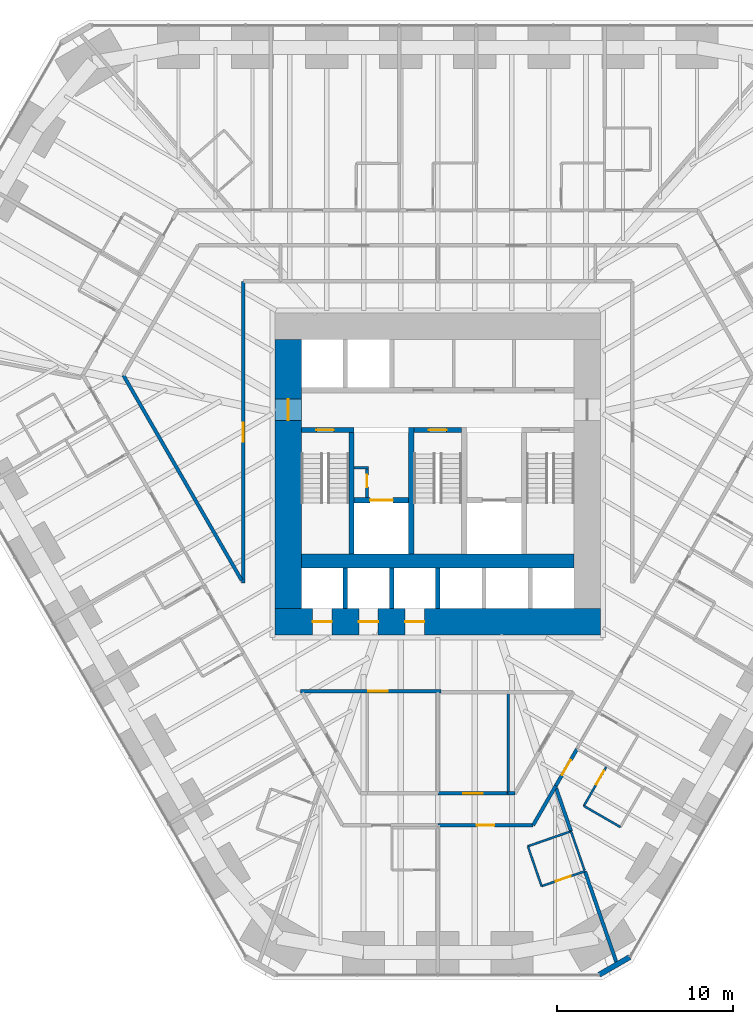
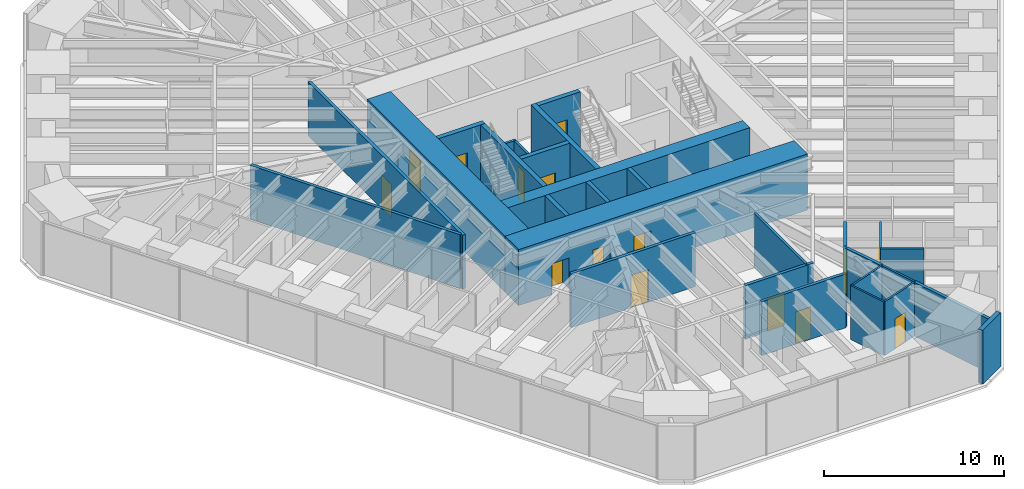
# One storey, part 12 of 17: 31 walls, 15 doors, 15 openings.
"""IFC4 building model written with IfcOpenShell, lengths in metres."""

from ifc_helpers import new_model, si_unit, direction, frame, frame_2d, origin, place, context, subcontext, project, spatial, rectangle, extrude, material, layer, layer_set, type_object, element, fill, save


model = new_model("IFC4")

# Units and contexts
model_context = context("Model", 3, precision=1e-05, world=origin(), true_north=direction((0.0, 1.0)))
body_context = subcontext(model_context, "Body", "Model", "MODEL_VIEW")
ifc_project = project(units=[si_unit("LENGTHUNIT", "METRE"), si_unit("AREAUNIT", "SQUARE_METRE"), si_unit("VOLUMEUNIT", "CUBIC_METRE"), si_unit("PLANEANGLEUNIT", "RADIAN"), si_unit("MASSUNIT", "GRAM", prefix="KILO")], contexts=[model_context])

# Site, building, storey
site_placement = place(None, origin())
site = spatial("IfcSite", under=ifc_project, at=site_placement, CompositionType="ELEMENT")
building_placement = place(site_placement, origin())
building = spatial("IfcBuilding", under=site, at=building_placement, Name="Sandreach Pilgrim Tower", CompositionType="ELEMENT")
storey_placement = place(building_placement, frame((0.0, 0.0, 30.60009765625)))
storey = spatial("IfcBuildingStorey", under=building, at=storey_placement, Name="L06", CompositionType="ELEMENT", Elevation=30.60009765625)

# Walls
ifc_material_1 = material(Name="Gypsum board on steel studs", Category="steel")
ifc_layer_1 = layer(ifc_material_1, 0.14990234375)
ifc_layer_set_1 = layer_set([ifc_layer_1], Name="Back of house wall 150")
wall_type_1 = type_object("IfcWallType", Name="Back of house wall 150", PredefinedType="PARTITIONING", material=ifc_layer_set_1)
wall_1_placement = place(storey_placement, frame((4.0, -13.949951171875, 0.0), z_axis=(0.0, 0.0, 1.0), x_axis=(0.0, -1.0, 0.0)))
element("IfcWall", 1, at=wall_1_placement, inside=storey, type_object=wall_type_1, Name="Back of house wall L06-094", PredefinedType="PARTITIONING", context=body_context, shape_type="SweptSolid", body=[
    extrude(rectangle(XDim=5.760009765625, YDim=0.14990234375, at=frame_2d((2.8798828125, 0.0))), origin(), (0.0, 0.0, 1.0), 3.639892578125),
])
ifc_material_2 = material(Name="Moisture-resistant gypsum board on steel studs", Category="steel")
ifc_layer_2 = layer(ifc_material_2, 0.1201171875)
ifc_layer_set_2 = layer_set([ifc_layer_2], Name="Bathroom partition 120")
wall_type_2 = type_object("IfcWallType", Name="Bathroom partition 120", PredefinedType="PARTITIONING", material=ifc_layer_set_2)
wall_2_placement = place(storey_placement, frame((5.1201171875, -22.7099609375, 0.0), z_axis=(0.0, 0.0, 1.0), x_axis=(0.324880771143, -0.945754981241, 0.0)))
element("IfcWall", 2, at=wall_2_placement, inside=storey, type_object=wall_type_2, Name="Bathroom partition L06-097", PredefinedType="PARTITIONING", context=body_context, shape_type="SweptSolid", body=[
    extrude(rectangle(XDim=2.400146484375, YDim=0.1201171875, at=frame_2d((1.2001953125, 0.0))), origin(), (0.0, 0.0, 1.0), 3.639892578125),
])

# Wall, opening, door
wall_3_placement = place(storey_placement, frame((5.89990234375, -24.97998046875, 0.0), z_axis=(0.0, 0.0, 1.0), x_axis=(0.945165466094, 0.326591857987, 0.0)))
wall_3 = element("IfcWall", 3, at=wall_3_placement, inside=storey, type_object=wall_type_2, Name="Bathroom partition L06-098", PredefinedType="PARTITIONING", context=body_context, shape_type="SweptSolid", body=[
    extrude(rectangle(XDim=2.60302734375, YDim=0.1201171875, at=frame_2d((1.301513671875, 0.0))), origin(), (0.0, 0.0, 1.0), 3.639892578125),
])
opening_1_placement = place(wall_3_placement, frame((0.85009765625, 0.0, 0.0)))
opening_1 = element("IfcOpeningElement", 4, at=opening_1_placement, cuts=wall_3, Name="Opening D09-13B", PredefinedType="OPENING", context=body_context, shape_type="SweptSolid", body=[
    extrude(rectangle(XDim=0.89990234375, YDim=2.030029296875, at=frame_2d((0.449951171875, 1.01513671875))), frame((0.0, 0.06005859375, 0.0), z_axis=(0.0, -1.0, 0.0), x_axis=(1.0, 0.0, 0.0)), (0.0, 0.0, 1.0), 0.1201171875),
])
ifc_material_3 = material(Name="Timber door, steel frame", Category="steel")
door_type_1 = type_object("IfcDoorType", Name="Bathroom door", OperationType="SINGLE_SWING_LEFT", PredefinedType="DOOR", material=ifc_material_3)
door_1_placement = place(opening_1_placement, origin())
door_1 = element("IfcDoor", 5, at=door_1_placement, inside=storey, type_object=door_type_1, Name="Door 0613B", OperationType="SINGLE_SWING_LEFT", OverallHeight=2.030029296875, OverallWidth=0.89990234375, PredefinedType="DOOR", context=body_context, shape_type="SweptSolid", body=[
    extrude(rectangle(XDim=0.89990234375, YDim=2.030029296875, at=frame_2d((0.449951171875, 1.01513671875))), frame((0.0, 0.02490234375, 0.0), z_axis=(0.0, -1.0, 0.0), x_axis=(1.0, 0.0, 0.0)), (0.0, 0.0, 1.0), 0.050048828125),
])
fill(opening_1, door_1)

# Walls
wall_4_placement = place(storey_placement, frame((7.570068359375, -21.860107421875, 0.0), z_axis=(0.0, 0.0, 1.0), x_axis=(-0.944782191137, -0.327698964463, 0.0)))
element("IfcWall", 6, at=wall_4_placement, inside=storey, type_object=wall_type_2, Name="Bathroom partition L06-104", PredefinedType="PARTITIONING", context=body_context, shape_type="SweptSolid", body=[
    extrude(rectangle(XDim=2.593505859375, YDim=0.1201171875, at=frame_2d((1.296875, 0.0))), origin(), (0.0, 0.0, 1.0), 3.639892578125),
])
wall_5_placement = place(storey_placement, frame((7.570068359375, -21.860107421875, 0.0), z_axis=(0.0, 0.0, 1.0), x_axis=(0.327706459026, -0.944779591605, 0.0)))
element("IfcWall", 7, at=wall_5_placement, inside=storey, type_object=wall_type_2, Name="Bathroom partition L06-105", PredefinedType="PARTITIONING", context=body_context, shape_type="SweptSolid", body=[
    extrude(rectangle(XDim=2.349609375, YDim=0.1201171875, at=frame_2d((1.1748046875, 0.0))), origin(), (0.0, 0.0, 1.0), 3.639892578125),
])
wall_6_placement = place(storey_placement, frame((8.300048828125, -20.419921875, 0.0), z_axis=(0.0, 0.0, 1.0), x_axis=(0.866177122335, -0.499737123639, 0.0)))
element("IfcWall", 8, at=wall_6_placement, inside=storey, type_object=wall_type_2, Name="Bathroom partition L06-109", PredefinedType="PARTITIONING", context=body_context, shape_type="SweptSolid", body=[
    extrude(rectangle(XDim=2.401123046875, YDim=0.1201171875, at=frame_2d((1.20068359375, 0.0))), origin(), (0.0, 0.0, 1.0), 3.639892578125),
])

# Wall, opening, door
wall_7_placement = place(storey_placement, frame((9.60009765625, -18.159912109375, 0.0), z_axis=(0.0, 0.0, 1.0), x_axis=(-0.498627694264, -0.866816256489, 0.0)))
wall_7 = element("IfcWall", 9, at=wall_7_placement, inside=storey, type_object=wall_type_2, Name="Bathroom partition L06-122", PredefinedType="PARTITIONING", context=body_context, shape_type="SweptSolid", body=[
    extrude(rectangle(XDim=2.607177734375, YDim=0.1201171875, at=frame_2d((1.3037109375, 0.0))), origin(), (0.0, 0.0, 1.0), 3.639892578125),
])
opening_2_placement = place(wall_7_placement, frame((0.300048828125, 0.0, 0.0)))
opening_2 = element("IfcOpeningElement", 10, at=opening_2_placement, cuts=wall_7, Name="Opening D09-12B", PredefinedType="OPENING", context=body_context, shape_type="SweptSolid", body=[
    extrude(rectangle(XDim=0.89990234375, YDim=2.030029296875, at=frame_2d((0.449951171875, 1.01513671875))), frame((0.0, 0.06005859375, 0.0), z_axis=(0.0, -1.0, 0.0), x_axis=(1.0, 0.0, 0.0)), (0.0, 0.0, 1.0), 0.1201171875),
])
door_2_placement = place(opening_2_placement, origin())
door_2 = element("IfcDoor", 11, at=door_2_placement, inside=storey, type_object=door_type_1, Name="Door 0612B", OperationType="SINGLE_SWING_LEFT", OverallHeight=2.030029296875, OverallWidth=0.89990234375, PredefinedType="DOOR", context=body_context, shape_type="SweptSolid", body=[
    extrude(rectangle(XDim=0.89990234375, YDim=2.030029296875, at=frame_2d((0.449951171875, 1.01513671875))), frame((0.0, 0.02490234375, 0.0), z_axis=(0.0, -1.0, 0.0), x_axis=(1.0, 0.0, 0.0)), (0.0, 0.0, 1.0), 0.050048828125),
])
fill(opening_2, door_2)

# Walls
ifc_material_4 = material(Name="Concrete 10000 psi", Category="concrete")
ifc_layer_3 = layer(ifc_material_4, 0.300048828125)
ifc_layer_set_3 = layer_set([ifc_layer_3], Name="Core inner wall 300")
wall_type_3 = type_object("IfcWallType", Name="Core inner wall 300", PredefinedType="SHEAR", material=ifc_layer_set_3)
for number, where, z_axis, x_axis, name in (
    (12, (-4.89990234375, -6.10009765625, 0.0), (0.0, 0.0, 1.0), (0.0, 1.0, 0.0), "Core wall I0 L06"),
    (13, (-1.5, -6.10009765625, 0.0), (0.0, 0.0, 1.0), (0.0, 1.0, 0.0), "Core wall I1 L06"),
):
    element("IfcWall", number, at=place(storey_placement, frame(where, z_axis=z_axis, x_axis=x_axis)), inside=storey, type_object=wall_type_3, Name=name, PredefinedType="SHEAR", context=body_context, shape_type="SweptSolid", body=[
        extrude(rectangle(XDim=7.2001953125, YDim=0.300048828125, at=frame_2d((3.60009765625, 0.0))), origin(), (0.0, 0.0, 1.0), 3.7998046875),
    ])

# Wall, opening, door
wall_8_placement = place(storey_placement, frame((-7.75, 0.949951171875, 0.0), z_axis=(0.0, 0.0, 1.0), x_axis=(1.0, 0.0, 0.0)))
wall_8 = element("IfcWall", 14, at=wall_8_placement, inside=storey, type_object=wall_type_3, Name="Core wall SN1 L06", PredefinedType="SHEAR", context=body_context, shape_type="SweptSolid", body=[
    extrude(rectangle(XDim=3.0, YDim=0.300048828125, at=frame_2d((1.5, 0.0))), origin(), (0.0, 0.0, 1.0), 3.7998046875),
])
opening_3_placement = place(wall_8_placement, frame((0.85009765625, 0.0, 0.0)))
opening_3 = element("IfcOpeningElement", 15, at=opening_3_placement, cuts=wall_8, Name="Opening D10S-ST1", PredefinedType="OPENING", context=body_context, shape_type="SweptSolid", body=[
    extrude(rectangle(XDim=1.0, YDim=2.199951171875, at=frame_2d((0.5, 1.10009765625))), frame((0.0, 0.14990234375, 0.0), z_axis=(0.0, -1.0, 0.0), x_axis=(1.0, 0.0, 0.0)), (0.0, 0.0, 1.0), 0.300048828125),
])
ifc_material_5 = material(Name="Steel door and frame", Category="steel")
door_type_2 = type_object("IfcDoorType", Name="Stair door", OperationType="SINGLE_SWING_LEFT", PredefinedType="DOOR", material=ifc_material_5)
door_3_placement = place(opening_3_placement, origin())
door_3 = element("IfcDoor", 16, at=door_3_placement, inside=storey, type_object=door_type_2, Name="Stair door ST1 L06", OperationType="SINGLE_SWING_LEFT", OverallHeight=2.199951171875, OverallWidth=1.0, PredefinedType="DOOR", context=body_context, shape_type="SweptSolid", body=[
    extrude(rectangle(XDim=1.0, YDim=2.199951171875, at=frame_2d((0.5, 1.10009765625))), frame((0.0, 0.02490234375, 0.0), z_axis=(0.0, -1.0, 0.0), x_axis=(1.0, 0.0, 0.0)), (0.0, 0.0, 1.0), 0.050048828125),
])
fill(opening_3, door_3)

wall_9_placement = place(storey_placement, frame((-1.35009765625, 0.949951171875, 0.0), z_axis=(0.0, 0.0, 1.0), x_axis=(1.0, 0.0, 0.0)))
wall_9 = element("IfcWall", 17, at=wall_9_placement, inside=storey, type_object=wall_type_3, Name="Core wall SN3 L06", PredefinedType="SHEAR", context=body_context, shape_type="SweptSolid", body=[
    extrude(rectangle(XDim=2.7001953125, YDim=0.300048828125, at=frame_2d((1.35009765625, 0.0))), origin(), (0.0, 0.0, 1.0), 3.7998046875),
])
opening_4_placement = place(wall_9_placement, frame((0.85009765625, 0.0, 0.0)))
opening_4 = element("IfcOpeningElement", 18, at=opening_4_placement, cuts=wall_9, Name="Opening D10S-ST3", PredefinedType="OPENING", context=body_context, shape_type="SweptSolid", body=[
    extrude(rectangle(XDim=1.0, YDim=2.199951171875, at=frame_2d((0.5, 1.10009765625))), frame((0.0, 0.14990234375, 0.0), z_axis=(0.0, -1.0, 0.0), x_axis=(1.0, 0.0, 0.0)), (0.0, 0.0, 1.0), 0.300048828125),
])
door_4_placement = place(opening_4_placement, origin())
door_4 = element("IfcDoor", 19, at=door_4_placement, inside=storey, type_object=door_type_2, Name="Stair door ST3 L06", OperationType="SINGLE_SWING_LEFT", OverallHeight=2.199951171875, OverallWidth=1.0, PredefinedType="DOOR", context=body_context, shape_type="SweptSolid", body=[
    extrude(rectangle(XDim=1.0, YDim=2.199951171875, at=frame_2d((0.5, 1.10009765625))), frame((0.0, 0.02490234375, 0.0), z_axis=(0.0, -1.0, 0.0), x_axis=(1.0, 0.0, 0.0)), (0.0, 0.0, 1.0), 0.050048828125),
])
fill(opening_4, door_4)

wall_10_placement = place(storey_placement, frame((-4.75, -3.050048828125, 0.0), z_axis=(0.0, 0.0, 1.0), x_axis=(1.0, 0.0, 0.0)))
wall_10 = element("IfcWall", 20, at=wall_10_placement, inside=storey, type_object=wall_type_3, Name="Core wall FL1 L06", PredefinedType="SHEAR", context=body_context, shape_type="SweptSolid", body=[
    extrude(rectangle(XDim=3.10009765625, YDim=0.300048828125, at=frame_2d((1.550048828125, 0.0))), origin(), (0.0, 0.0, 1.0), 3.7998046875),
])
opening_5_placement = place(wall_10_placement, frame((0.89990234375, 0.0, 0.0)))
opening_5 = element("IfcOpeningElement", 21, at=opening_5_placement, cuts=wall_10, Name="Opening LD13", PredefinedType="OPENING", context=body_context, shape_type="SweptSolid", body=[
    extrude(rectangle(XDim=1.300048828125, YDim=2.10009765625, at=frame_2d((0.64990234375, 1.050048828125))), frame((0.0, 0.14990234375, 0.0), z_axis=(0.0, -1.0, 0.0), x_axis=(1.0, 0.0, 0.0)), (0.0, 0.0, 1.0), 0.300048828125),
])
ifc_material_6 = material(Name="Steel door and frame", Category="steel")
door_type_3 = type_object("IfcDoorType", Name="Fire service lift landing door", OperationType="DOUBLE_DOOR_SLIDING", PredefinedType="DOOR", material=ifc_material_6)
door_5_placement = place(opening_5_placement, origin())
door_5 = element("IfcDoor", 22, at=door_5_placement, inside=storey, type_object=door_type_3, Name="Lift landing door FS1 L06", OperationType="DOUBLE_DOOR_SLIDING", OverallHeight=2.10009765625, OverallWidth=1.300048828125, PredefinedType="DOOR", context=body_context, shape_type="SweptSolid", body=[
    extrude(rectangle(XDim=1.300048828125, YDim=2.10009765625, at=frame_2d((0.64990234375, 1.050048828125))), frame((0.0, 0.02490234375, 0.0), z_axis=(0.0, -1.0, 0.0), x_axis=(1.0, 0.0, 0.0)), (0.0, 0.0, 1.0), 0.050048828125),
])
fill(opening_5, door_5)

# Wall
ifc_material_7 = material(Name="Concrete 10000 psi", Category="concrete")
ifc_layer_4 = layer(ifc_material_7, 0.800048828125)
ifc_layer_set_4 = layer_set([ifc_layer_4], Name="Core mid wall 800")
wall_type_4 = type_object("IfcWallType", Name="Core mid wall 800", PredefinedType="SHEAR", material=ifc_layer_set_4)
wall_11_placement = place(storey_placement, frame((-7.75, -6.5, 0.0), z_axis=(0.0, 0.0, 1.0), x_axis=(1.0, 0.0, 0.0)))
element("IfcWall", 23, at=wall_11_placement, inside=storey, type_object=wall_type_4, Name="Core wall M L06", PredefinedType="SHEAR", context=body_context, shape_type="SweptSolid", body=[
    extrude(rectangle(XDim=15.5, YDim=0.800048828125, at=frame_2d((7.75, 0.0))), origin(), (0.0, 0.0, 1.0), 3.7998046875),
])

# Wall, openings, doors
ifc_material_8 = material(Name="Concrete 10000 psi", Category="concrete")
ifc_layer_5 = layer(ifc_material_8, 1.5)
ifc_layer_set_5 = layer_set([ifc_layer_5], Name="Core wall 1500")
wall_type_5 = type_object("IfcWallType", Name="Core wall 1500", PredefinedType="SHEAR", material=ifc_layer_set_5)
wall_12_placement = place(storey_placement, frame((-9.25, -9.949951171875, 0.0), z_axis=(0.0, 0.0, 1.0), x_axis=(1.0, 0.0, 0.0)))
wall_12 = element("IfcWall", 24, at=wall_12_placement, inside=storey, type_object=wall_type_5, Name="Core wall S L06", PredefinedType="SHEAR", context=body_context, shape_type="SweptSolid", body=[
    extrude(rectangle(XDim=18.5, YDim=1.5, at=frame_2d((9.25, 0.0))), origin(), (0.0, 0.0, 1.0), 3.7998046875),
])
opening_6_placement = place(wall_12_placement, frame((2.137451171875, 0.0, 0.0)))
opening_6 = element("IfcOpeningElement", 25, at=opening_6_placement, cuts=wall_12, Name="Opening LD11", PredefinedType="OPENING", context=body_context, shape_type="SweptSolid", body=[
    extrude(rectangle(XDim=1.10009765625, YDim=2.10009765625, at=frame_2d((0.550048828125, 1.050048828125))), frame((0.0, 0.75, 0.0), z_axis=(0.0, -1.0, 0.0), x_axis=(1.0, 0.0, 0.0)), (0.0, 0.0, 1.0), 1.5),
])
opening_7_placement = place(wall_12_placement, frame((4.762451171875, 0.0, 0.0)))
opening_7 = element("IfcOpeningElement", 26, at=opening_7_placement, cuts=wall_12, Name="Opening LD11", PredefinedType="OPENING", context=body_context, shape_type="SweptSolid", body=[
    extrude(rectangle(XDim=1.10009765625, YDim=2.10009765625, at=frame_2d((0.550048828125, 1.050048828125))), frame((0.0, 0.75, 0.0), z_axis=(0.0, -1.0, 0.0), x_axis=(1.0, 0.0, 0.0)), (0.0, 0.0, 1.0), 1.5),
])
opening_8_placement = place(wall_12_placement, frame((7.387451171875, 0.0, 0.0)))
opening_8 = element("IfcOpeningElement", 27, at=opening_8_placement, cuts=wall_12, Name="Opening LD11", PredefinedType="OPENING", context=body_context, shape_type="SweptSolid", body=[
    extrude(rectangle(XDim=1.10009765625, YDim=2.10009765625, at=frame_2d((0.550048828125, 1.050048828125))), frame((0.0, 0.75, 0.0), z_axis=(0.0, -1.0, 0.0), x_axis=(1.0, 0.0, 0.0)), (0.0, 0.0, 1.0), 1.5),
])
ifc_material_9 = material(Name="Steel door and frame", Category="steel")
door_type_4 = type_object("IfcDoorType", Name="Lift landing door", OperationType="DOUBLE_DOOR_SLIDING", PredefinedType="DOOR", material=ifc_material_9)
door_6_placement = place(opening_6_placement, origin())
door_6 = element("IfcDoor", 28, at=door_6_placement, inside=storey, type_object=door_type_4, Name="Lift landing door Z1A L06", OperationType="DOUBLE_DOOR_SLIDING", OverallHeight=2.10009765625, OverallWidth=1.10009765625, PredefinedType="DOOR", context=body_context, shape_type="SweptSolid", body=[
    extrude(rectangle(XDim=1.10009765625, YDim=2.10009765625, at=frame_2d((0.550048828125, 1.050048828125))), frame((0.0, 0.02490234375, 0.0), z_axis=(0.0, -1.0, 0.0), x_axis=(1.0, 0.0, 0.0)), (0.0, 0.0, 1.0), 0.050048828125),
])
fill(opening_6, door_6)
door_7_placement = place(opening_7_placement, origin())
door_7 = element("IfcDoor", 29, at=door_7_placement, inside=storey, type_object=door_type_4, Name="Lift landing door Z1B L06", OperationType="DOUBLE_DOOR_SLIDING", OverallHeight=2.10009765625, OverallWidth=1.10009765625, PredefinedType="DOOR", context=body_context, shape_type="SweptSolid", body=[
    extrude(rectangle(XDim=1.10009765625, YDim=2.10009765625, at=frame_2d((0.550048828125, 1.050048828125))), frame((0.0, 0.02490234375, 0.0), z_axis=(0.0, -1.0, 0.0), x_axis=(1.0, 0.0, 0.0)), (0.0, 0.0, 1.0), 0.050048828125),
])
fill(opening_7, door_7)
door_8_placement = place(opening_8_placement, origin())
door_8 = element("IfcDoor", 30, at=door_8_placement, inside=storey, type_object=door_type_4, Name="Lift landing door Z1C L06", OperationType="DOUBLE_DOOR_SLIDING", OverallHeight=2.10009765625, OverallWidth=1.10009765625, PredefinedType="DOOR", context=body_context, shape_type="SweptSolid", body=[
    extrude(rectangle(XDim=1.10009765625, YDim=2.10009765625, at=frame_2d((0.550048828125, 1.050048828125))), frame((0.0, 0.02490234375, 0.0), z_axis=(0.0, -1.0, 0.0), x_axis=(1.0, 0.0, 0.0)), (0.0, 0.0, 1.0), 0.050048828125),
])
fill(opening_8, door_8)

# Wall, opening, door
wall_13_placement = place(storey_placement, frame((-8.5, -9.199951171875, 0.0), z_axis=(0.0, 0.0, 1.0), x_axis=(0.0, 1.0, 0.0)))
wall_13 = element("IfcWall", 31, at=wall_13_placement, inside=storey, type_object=wall_type_5, Name="Core wall W L06", PredefinedType="SHEAR", context=body_context, shape_type="SweptSolid", body=[
    extrude(rectangle(XDim=15.300048828125, YDim=1.5, at=frame_2d((7.64990234375, 0.0))), origin(), (0.0, 0.0, 1.0), 3.7998046875),
])
opening_9_placement = place(wall_13_placement, frame((10.699951171875, 0.0, 0.0)))
opening_9 = element("IfcOpeningElement", 32, at=opening_9_placement, cuts=wall_13, Name="Opening D12F-W", PredefinedType="OPENING", context=body_context, shape_type="SweptSolid", body=[
    extrude(rectangle(XDim=1.199951171875, YDim=2.199951171875, at=frame_2d((0.60009765625, 1.10009765625))), frame((0.0, 0.75, 0.0), z_axis=(0.0, -1.0, 0.0), x_axis=(1.0, 0.0, 0.0)), (0.0, 0.0, 1.0), 1.5),
])
ifc_material_10 = material(Name="Steel door and frame", Category="steel")
door_type_5 = type_object("IfcDoorType", Name="Fire lobby door", OperationType="SINGLE_SWING_LEFT", PredefinedType="DOOR", material=ifc_material_10)
door_9_placement = place(opening_9_placement, origin())
door_9 = element("IfcDoor", 33, at=door_9_placement, inside=storey, type_object=door_type_5, Name="Fire service lobby door W L06", OperationType="SINGLE_SWING_RIGHT", OverallHeight=2.199951171875, OverallWidth=1.199951171875, PredefinedType="DOOR", context=body_context, shape_type="SweptSolid", body=[
    extrude(rectangle(XDim=1.199951171875, YDim=2.199951171875, at=frame_2d((0.60009765625, 1.10009765625))), frame((0.0, 0.02490234375, 0.0), z_axis=(0.0, -1.0, 0.0), x_axis=(1.0, 0.0, 0.0)), (0.0, 0.0, 1.0), 0.050048828125),
])
fill(opening_9, door_9)

# Wall
ifc_material_11 = material(Name="Gypsum board on steel studs, two layers each side", Category="steel")
ifc_layer_6 = layer(ifc_material_11, 0.199951171875)
ifc_layer_set_6 = layer_set([ifc_layer_6], Name="Corridor wall 200")
wall_type_6 = type_object("IfcWallType", Name="Corridor wall 200", PredefinedType="PARTITIONING", material=ifc_layer_set_6)
wall_14_placement = place(storey_placement, frame((-11.1474609375, -7.591064453125, 0.0), z_axis=(0.0, 0.0, 1.0), x_axis=(-0.499756496688, 0.86616594485, 0.0)))
element("IfcWall", 34, at=wall_14_placement, inside=storey, type_object=wall_type_6, Name="Corridor wall L06-046", PredefinedType="PARTITIONING", context=body_context, shape_type="SweptSolid", body=[
    extrude(rectangle(XDim=13.451416015625, YDim=0.199951171875, at=frame_2d((6.7255859375, 0.0))), origin(), (0.0, 0.0, 1.0), 3.639892578125),
])

# Wall, opening, door
wall_15_placement = place(storey_placement, frame((-11.050048828125, 9.39990234375, 0.0), z_axis=(0.0, 0.0, 1.0), x_axis=(0.0, -1.0, 0.0)))
wall_15 = element("IfcWall", 35, at=wall_15_placement, inside=storey, type_object=wall_type_6, Name="Corridor wall L06-048", PredefinedType="PARTITIONING", context=body_context, shape_type="SweptSolid", body=[
    extrude(rectangle(XDim=17.159912109375, YDim=0.199951171875, at=frame_2d((8.580078125, 0.0))), origin(), (0.0, 0.0, 1.0), 3.639892578125),
])
opening_10_placement = place(wall_15_placement, frame((8.030029296875, 0.0, 0.0)))
opening_10 = element("IfcOpeningElement", 36, at=opening_10_placement, cuts=wall_15, Name="Opening D11H-M01", PredefinedType="OPENING", context=body_context, shape_type="SweptSolid", body=[
    extrude(rectangle(XDim=1.10009765625, YDim=2.199951171875, at=frame_2d((0.550048828125, 1.10009765625))), frame((0.0, 0.10009765625, 0.0), z_axis=(0.0, -1.0, 0.0), x_axis=(1.0, 0.0, 0.0)), (0.0, 0.0, 1.0), 0.199951171875),
])
ifc_material_12 = material(Name="Steel door and frame", Category="steel")
door_type_6 = type_object("IfcDoorType", Name="Back of house door", OperationType="SINGLE_SWING_LEFT", PredefinedType="DOOR", material=ifc_material_12)
door_10_placement = place(opening_10_placement, origin())
door_10 = element("IfcDoor", 37, at=door_10_placement, inside=storey, type_object=door_type_6, Name="Door 06M01", OperationType="SINGLE_SWING_LEFT", OverallHeight=2.199951171875, OverallWidth=1.10009765625, PredefinedType="DOOR", context=body_context, shape_type="SweptSolid", body=[
    extrude(rectangle(XDim=1.10009765625, YDim=2.199951171875, at=frame_2d((0.550048828125, 1.10009765625))), frame((0.0, 0.02490234375, 0.0), z_axis=(0.0, -1.0, 0.0), x_axis=(1.0, 0.0, 0.0)), (0.0, 0.0, 1.0), 0.050048828125),
])
fill(opening_10, door_10)

wall_16_placement = place(storey_placement, frame((0.0, -21.510009765625, 0.0), z_axis=(0.0, 0.0, 1.0), x_axis=(1.0, 0.0, 0.0)))
wall_16 = element("IfcWall", 38, at=wall_16_placement, inside=storey, type_object=wall_type_6, Name="Corridor wall L06-081", PredefinedType="PARTITIONING", context=body_context, shape_type="SweptSolid", body=[
    extrude(rectangle(XDim=5.419921875, YDim=0.199951171875, at=frame_2d((2.7099609375, 0.0))), origin(), (0.0, 0.0, 1.0), 3.639892578125),
])
opening_11_placement = place(wall_16_placement, frame((2.2099609375, 0.0, 0.0)))
opening_11 = element("IfcOpeningElement", 39, at=opening_11_placement, cuts=wall_16, Name="Opening D10-13", PredefinedType="OPENING", context=body_context, shape_type="SweptSolid", body=[
    extrude(rectangle(XDim=1.0, YDim=2.1298828125, at=frame_2d((0.5, 1.06494140625))), frame((0.0, 0.10009765625, 0.0), z_axis=(0.0, -1.0, 0.0), x_axis=(1.0, 0.0, 0.0)), (0.0, 0.0, 1.0), 0.199951171875),
])
ifc_material_13 = material(Name="Steel door and frame", Category="steel")
door_type_7 = type_object("IfcDoorType", Name="Guest room entry door", OperationType="SINGLE_SWING_LEFT", PredefinedType="DOOR", material=ifc_material_13)
door_11_placement = place(opening_11_placement, origin())
door_11 = element("IfcDoor", 40, at=door_11_placement, inside=storey, type_object=door_type_7, Name="Door 0613", OperationType="SINGLE_SWING_LEFT", OverallHeight=2.1298828125, OverallWidth=1.0, PredefinedType="DOOR", context=body_context, shape_type="SweptSolid", body=[
    extrude(rectangle(XDim=1.0, YDim=2.1298828125, at=frame_2d((0.5, 1.06494140625))), frame((0.0, 0.02490234375, 0.0), z_axis=(0.0, -1.0, 0.0), x_axis=(1.0, 0.0, 0.0)), (0.0, 0.0, 1.0), 0.050048828125),
])
fill(opening_11, door_11)

wall_17_placement = place(storey_placement, frame((0.179931640625, -13.89990234375, 0.0), z_axis=(0.0, 0.0, 1.0), x_axis=(-1.0, 0.0, 0.0)))
wall_17 = element("IfcWall", 41, at=wall_17_placement, inside=storey, type_object=wall_type_6, Name="Corridor wall L06-088", PredefinedType="PARTITIONING", context=body_context, shape_type="SweptSolid", body=[
    extrude(rectangle(XDim=7.969970703125, YDim=0.199951171875, at=frame_2d((3.98486328125, 0.0))), origin(), (0.0, 0.0, 1.0), 3.639892578125),
])
opening_12_placement = place(wall_17_placement, frame((3.034912109375, 0.0, 0.0)))
opening_12 = element("IfcOpeningElement", 42, at=opening_12_placement, cuts=wall_17, Name="Opening D11H-S2", PredefinedType="OPENING", context=body_context, shape_type="SweptSolid", body=[
    extrude(rectangle(XDim=1.10009765625, YDim=2.199951171875, at=frame_2d((0.550048828125, 1.10009765625))), frame((0.0, 0.10009765625, 0.0), z_axis=(0.0, -1.0, 0.0), x_axis=(1.0, 0.0, 0.0)), (0.0, 0.0, 1.0), 0.199951171875),
])
door_12_placement = place(opening_12_placement, origin())
door_12 = element("IfcDoor", 43, at=door_12_placement, inside=storey, type_object=door_type_6, Name="Door 06S2", OperationType="SINGLE_SWING_LEFT", OverallHeight=2.199951171875, OverallWidth=1.10009765625, PredefinedType="DOOR", context=body_context, shape_type="SweptSolid", body=[
    extrude(rectangle(XDim=1.10009765625, YDim=2.199951171875, at=frame_2d((0.550048828125, 1.10009765625))), frame((0.0, 0.02490234375, 0.0), z_axis=(0.0, -1.0, 0.0), x_axis=(1.0, 0.0, 0.0)), (0.0, 0.0, 1.0), 0.050048828125),
])
fill(opening_12, door_12)

wall_18_placement = place(storey_placement, frame((4.0, -19.7099609375, 0.0), z_axis=(0.0, 0.0, 1.0), x_axis=(-1.0, 0.0, 0.0)))
wall_18 = element("IfcWall", 44, at=wall_18_placement, inside=storey, type_object=wall_type_6, Name="Corridor wall L06-093", PredefinedType="PARTITIONING", context=body_context, shape_type="SweptSolid", body=[
    extrude(rectangle(XDim=4.0, YDim=0.199951171875, at=frame_2d((2.0, 0.0))), origin(), (0.0, 0.0, 1.0), 3.639892578125),
])
opening_13_placement = place(wall_18_placement, frame((1.449951171875, 0.0, 0.0)))
opening_13 = element("IfcOpeningElement", 45, at=opening_13_placement, cuts=wall_18, Name="Opening D11H-S3", PredefinedType="OPENING", context=body_context, shape_type="SweptSolid", body=[
    extrude(rectangle(XDim=1.10009765625, YDim=2.199951171875, at=frame_2d((0.550048828125, 1.10009765625))), frame((0.0, 0.10009765625, 0.0), z_axis=(0.0, -1.0, 0.0), x_axis=(1.0, 0.0, 0.0)), (0.0, 0.0, 1.0), 0.199951171875),
])
door_13_placement = place(opening_13_placement, origin())
door_13 = element("IfcDoor", 46, at=door_13_placement, inside=storey, type_object=door_type_6, Name="Door 06S3", OperationType="SINGLE_SWING_LEFT", OverallHeight=2.199951171875, OverallWidth=1.10009765625, PredefinedType="DOOR", context=body_context, shape_type="SweptSolid", body=[
    extrude(rectangle(XDim=1.10009765625, YDim=2.199951171875, at=frame_2d((0.550048828125, 1.10009765625))), frame((0.0, 0.02490234375, 0.0), z_axis=(0.0, -1.0, 0.0), x_axis=(1.0, 0.0, 0.0)), (0.0, 0.0, 1.0), 0.050048828125),
])
fill(opening_13, door_13)

# Walls
wall_19_placement = place(storey_placement, frame((4.3798828125, -19.7099609375, 0.0), z_axis=(0.0, 0.0, 1.0), x_axis=(-1.0, 0.0, 0.0)))
element("IfcWall", 47, at=wall_19_placement, inside=storey, type_object=wall_type_6, Name="Corridor wall L06-096", PredefinedType="PARTITIONING", context=body_context, shape_type="SweptSolid", body=[
    extrude(rectangle(XDim=0.3798828125, YDim=0.199951171875, at=frame_2d((0.18994140625, 0.0))), origin(), (0.0, 0.0, 1.0), 3.639892578125),
])
wall_20_placement = place(storey_placement, frame((6.7099609375, -19.27001953125, 0.0), z_axis=(0.0, 0.0, 1.0), x_axis=(-0.499065468721, -0.866564283784, 0.0)))
element("IfcWall", 48, at=wall_20_placement, inside=storey, type_object=wall_type_6, Name="Corridor wall L06-099", PredefinedType="PARTITIONING", context=body_context, shape_type="SweptSolid", body=[
    extrude(rectangle(XDim=2.5849609375, YDim=0.199951171875, at=frame_2d((1.29248046875, 0.0))), origin(), (0.0, 0.0, 1.0), 3.639892578125),
])

# Wall, opening, door
wall_21_placement = place(storey_placement, frame((6.7099609375, -19.27001953125, 0.0), z_axis=(0.0, 0.0, 1.0), x_axis=(0.499693115345, 0.866202511239, 0.0)))
wall_21 = element("IfcWall", 49, at=wall_21_placement, inside=storey, type_object=wall_type_6, Name="Corridor wall L06-100", PredefinedType="PARTITIONING", context=body_context, shape_type="SweptSolid", body=[
    extrude(rectangle(XDim=2.4013671875, YDim=0.199951171875, at=frame_2d((1.20068359375, 0.0))), origin(), (0.0, 0.0, 1.0), 3.639892578125),
])
opening_14_placement = place(wall_21_placement, frame((0.70068359375, 0.0, 0.0)))
opening_14 = element("IfcOpeningElement", 50, at=opening_14_placement, cuts=wall_21, Name="Opening D10-12", PredefinedType="OPENING", context=body_context, shape_type="SweptSolid", body=[
    extrude(rectangle(XDim=1.0, YDim=2.1298828125, at=frame_2d((0.5, 1.06494140625))), frame((0.0, 0.10009765625, 0.0), z_axis=(0.0, -1.0, 0.0), x_axis=(1.0, 0.0, 0.0)), (0.0, 0.0, 1.0), 0.199951171875),
])
door_14_placement = place(opening_14_placement, origin())
door_14 = element("IfcDoor", 51, at=door_14_placement, inside=storey, type_object=door_type_7, Name="Door 0612", OperationType="SINGLE_SWING_LEFT", OverallHeight=2.1298828125, OverallWidth=1.0, PredefinedType="DOOR", context=body_context, shape_type="SweptSolid", body=[
    extrude(rectangle(XDim=1.0, YDim=2.1298828125, at=frame_2d((0.5, 1.06494140625))), frame((0.0, 0.02490234375, 0.0), z_axis=(0.0, -1.0, 0.0), x_axis=(1.0, 0.0, 0.0)), (0.0, 0.0, 1.0), 0.050048828125),
])
fill(opening_14, door_14)

# Walls
ifc_material_14 = material(Name="Double steel stud acoustic wall, gypsum board", Category="steel")
ifc_layer_7 = layer(ifc_material_14, 0.199951171875)
ifc_layer_set_7 = layer_set([ifc_layer_7], Name="Party wall 200")
wall_type_7 = type_object("IfcWallType", Name="Party wall 200", PredefinedType="PARTITIONING", material=ifc_layer_set_7)
wall_22_placement = place(storey_placement, frame((6.725830078125, -19.4140625, 0.0), z_axis=(0.0, 0.0, 1.0), x_axis=(0.326258175708, -0.945280700524, 0.0)))
element("IfcWall", 52, at=wall_22_placement, inside=storey, type_object=wall_type_7, Name="Party wall L06-101", PredefinedType="PARTITIONING", context=body_context, shape_type="SweptSolid", body=[
    extrude(rectangle(XDim=2.587646484375, YDim=0.199951171875, at=frame_2d((1.2939453125, 0.0))), origin(), (0.0, 0.0, 1.0), 3.639892578125),
])
wall_23_placement = place(storey_placement, frame((8.360107421875, -24.1298828125, 0.0), z_axis=(0.0, 0.0, 1.0), x_axis=(0.327332811485, -0.944909112309, 0.0)))
element("IfcWall", 53, at=wall_23_placement, inside=storey, type_object=wall_type_7, Name="Party wall L06-110", PredefinedType="PARTITIONING", context=body_context, shape_type="SweptSolid", body=[
    extrude(rectangle(XDim=5.621337890625, YDim=0.199951171875, at=frame_2d((2.810546875, 0.0))), origin(), (0.0, 0.0, 1.0), 3.639892578125),
])

# Wall, opening, door
ifc_material_15 = material(Name="Gypsum shaft wall on steel studs, shaft liner board", Category="steel")
ifc_layer_8 = layer(ifc_material_15, 0.14990234375)
ifc_layer_set_8 = layer_set([ifc_layer_8], Name="Riser shaft wall 150")
wall_type_8 = type_object("IfcWallType", Name="Riser shaft wall 150", PredefinedType="PARTITIONING", material=ifc_layer_set_8)
wall_24_placement = place(storey_placement, frame((-4.02490234375, -2.89990234375, 0.0), z_axis=(0.0, 0.0, 1.0), x_axis=(0.0, 1.0, 0.0)))
wall_24 = element("IfcWall", 54, at=wall_24_placement, inside=storey, type_object=wall_type_8, Name="Riser partition L06 side", PredefinedType="PARTITIONING", context=body_context, shape_type="SweptSolid", body=[
    extrude(rectangle(XDim=1.77490234375, YDim=0.14990234375, at=frame_2d((0.887451171875, 0.0))), origin(), (0.0, 0.0, 1.0), 3.639892578125),
])
opening_15_placement = place(wall_24_placement, frame((0.60009765625, 0.0, 0.0)))
opening_15 = element("IfcOpeningElement", 55, at=opening_15_placement, cuts=wall_24, Name="Opening D07R", PredefinedType="OPENING", context=body_context, shape_type="SweptSolid", body=[
    extrude(rectangle(XDim=0.699951171875, YDim=2.10009765625, at=frame_2d((0.35009765625, 1.050048828125))), frame((0.0, 0.074951171875, 0.0), z_axis=(0.0, -1.0, 0.0), x_axis=(1.0, 0.0, 0.0)), (0.0, 0.0, 1.0), 0.14990234375),
])
ifc_material_16 = material(Name="Steel door and frame, smoke seals", Category="steel")
door_type_8 = type_object("IfcDoorType", Name="Riser access door", OperationType="SINGLE_SWING_RIGHT", PredefinedType="DOOR", material=ifc_material_16)
door_15_placement = place(opening_15_placement, origin())
door_15 = element("IfcDoor", 56, at=door_15_placement, inside=storey, type_object=door_type_8, Name="Door riser 06ER", OperationType="SINGLE_SWING_RIGHT", OverallHeight=2.10009765625, OverallWidth=0.699951171875, PredefinedType="DOOR", context=body_context, shape_type="SweptSolid", body=[
    extrude(rectangle(XDim=0.699951171875, YDim=2.10009765625, at=frame_2d((0.35009765625, 1.050048828125))), frame((0.0, 0.02490234375, 0.0), z_axis=(0.0, -1.0, 0.0), x_axis=(1.0, 0.0, 0.0)), (0.0, 0.0, 1.0), 0.050048828125),
])
fill(opening_15, door_15)

# Walls
wall_25_placement = place(storey_placement, frame((-4.75, -1.199951171875, 0.0), z_axis=(0.0, 0.0, 1.0), x_axis=(1.0, 0.0, 0.0)))
element("IfcWall", 57, at=wall_25_placement, inside=storey, type_object=wall_type_8, Name="Riser partition L06 front", PredefinedType="PARTITIONING", context=body_context, shape_type="SweptSolid", body=[
    extrude(rectangle(XDim=0.800048828125, YDim=0.14990234375, at=frame_2d((0.39990234375, 0.0))), origin(), (0.0, 0.0, 1.0), 3.639892578125),
])
ifc_material_17 = material(Name="Gypsum shaft wall on steel studs, two layers of shaft liner board", Category="steel")
ifc_layer_9 = layer(ifc_material_17, 0.25)
ifc_layer_set_9 = layer_set([ifc_layer_9], Name="Shaft partition 250")
wall_type_9 = type_object("IfcWallType", Name="Shaft partition 250", PredefinedType="PARTITIONING", material=ifc_layer_set_9)
for number, where, z_axis, x_axis, name in (
    (58, (-5.25, -9.199951171875, 0.0), (0.0, 0.0, 1.0), (0.0, 1.0, 0.0), "Shaft partition XS0 L06"),
    (59, (-2.625, -9.199951171875, 0.0), (0.0, 0.0, 1.0), (0.0, 1.0, 0.0), "Shaft partition XS1 L06"),
    (60, (0.0, -9.199951171875, 0.0), (0.0, 0.0, 1.0), (0.0, 1.0, 0.0), "Shaft partition XS2 L06"),
):
    element("IfcWall", number, at=place(storey_placement, frame(where, z_axis=z_axis, x_axis=x_axis)), inside=storey, type_object=wall_type_9, Name=name, PredefinedType="PARTITIONING", context=body_context, shape_type="SweptSolid", body=[
        extrude(rectangle(XDim=2.300048828125, YDim=0.25, at=frame_2d((1.14990234375, 0.0))), origin(), (0.0, 0.0, 1.0), 3.7998046875),
    ])
ifc_material_18 = material(Name="Terracotta rainscreen on concrete", Category="masonry")
ifc_layer_10 = layer(ifc_material_18, 0.300048828125)
ifc_layer_set_10 = layer_set([ifc_layer_10], Name="Terracotta chamfer pier")
wall_type_10 = type_object("IfcWallType", Name="Terracotta chamfer pier", PredefinedType="SOLIDWALL", material=ifc_layer_set_10)
wall_26_placement = place(storey_placement, frame((10.904052734375, -29.010986328125, 0.0), z_axis=(0.0, 0.0, 1.0), x_axis=(-0.866010750942, -0.50002537861, 0.0)))
element("IfcWall", 61, at=wall_26_placement, inside=storey, type_object=wall_type_10, Name="Chamfer pier L06 SE", PredefinedType="SOLIDWALL", context=body_context, shape_type="SweptSolid", body=[
    extrude(rectangle(XDim=2.0, YDim=0.300048828125, at=frame_2d((1.0, 0.0))), origin(), (0.0, 0.0, 1.0), 3.639892578125),
])

save(model, "model.ifc")
